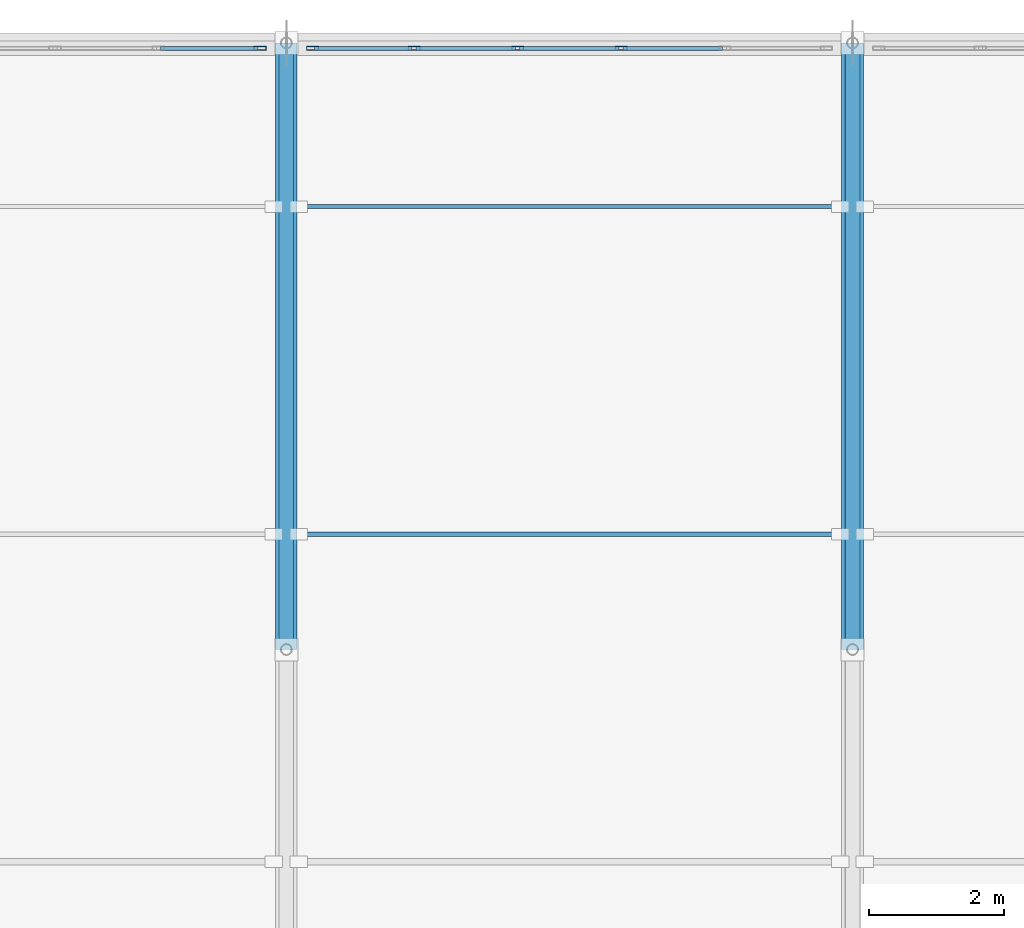
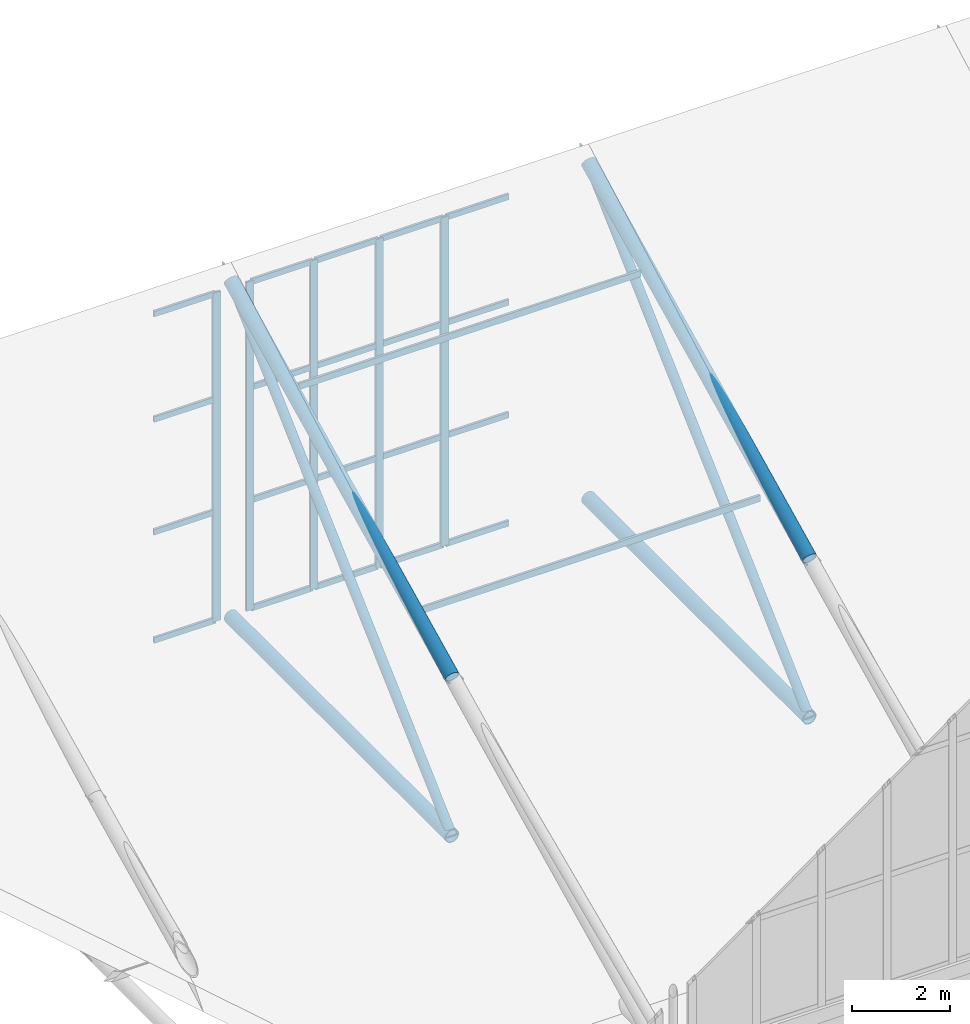
# One storey, part 24 of 38: 33 members, 2 elements without a shape of their own.
"""IFC4 building model written with IfcOpenShell, lengths in metres."""

from ifc_helpers import new_model, si_unit, direction, frame, origin, origin_2d, place, context, subcontext, project, spatial, hollow_rectangle, hollow_circle, extrude, material, material_profile, profile_set, type_object, element, aggregate, save


model = new_model("IFC4")

# Units and contexts
model_context = context("Model", 3, precision=1e-05, world=origin(), true_north=direction((0.0, 1.0)))
body_context = subcontext(model_context, "Body", "Model", "MODEL_VIEW")
ifc_project = project(units=[si_unit("LENGTHUNIT", "METRE"), si_unit("AREAUNIT", "SQUARE_METRE"), si_unit("VOLUMEUNIT", "CUBIC_METRE"), si_unit("PLANEANGLEUNIT", "RADIAN"), si_unit("MASSUNIT", "GRAM", prefix="KILO")], contexts=[model_context])

# Site, building, storey
site_placement = place(None, origin())
site = spatial("IfcSite", under=ifc_project, at=site_placement, CompositionType="ELEMENT")
building_placement = place(site_placement, origin())
building = spatial("IfcBuilding", under=site, at=building_placement, Name="Veltarok Museum of Natural Sciences", CompositionType="ELEMENT")
storey_placement = place(building_placement, frame((0.0, 0.0, 31.199951171875)))
storey = spatial("IfcBuildingStorey", under=building, at=storey_placement, Name="RF", CompositionType="ELEMENT", Elevation=31.199951171875)

# Curtain wall, member
ifc_material_1 = material(Name="Low-iron triple insulated glass", Category="glass")
curtain_wall_type = type_object("IfcCurtainWallType", Name="Curtain Wall System CW-SAW-M2-768x817 (Sawtooth North Clerestory M2 768x817cm)", PredefinedType="NOTDEFINED", material=ifc_material_1)
curtain_wall_1_placement = place(storey_placement, origin())
curtain_wall_1 = element("IfcCurtainWall", 1, at=curtain_wall_1_placement, inside=storey, type_object=curtain_wall_type, Name="Curtain Wall CW-SAW-M2-768x817 CW-SAW-0077", PredefinedType="NOTDEFINED")
ifc_material_2 = material(Name="Thermally broken anodised aluminium", Category="aluminium")
ifc_material_profile_1 = material_profile(ifc_material_2, hollow_rectangle(XDim=0.06005859375, YDim=0.179931640625, WallThickness=0.006103515625, at=origin_2d()), Name="CW MULLION 60x180x6")
ifc_profile_set_1 = profile_set([ifc_material_profile_1], Name="Thermally broken anodised aluminium")
member_type_1 = type_object("IfcMemberType", Name="Sawtooth Clerestory Mullion 60x180x6", PredefinedType="MULLION", material=ifc_profile_set_1)
member_1_placement = place(storey_placement, frame((64.81005859375, 71.919921875, -5.719970703125), z_axis=(0.0, 0.0, 1.0), x_axis=(0.0, -1.0, 0.0)))
member_1 = element("IfcMember", 2, at=member_1_placement, type_object=member_type_1, Name="CW-SAW-M2-768x817 mullion 1", PredefinedType="MULLION", context=body_context, shape_type="SweptSolid", body=[
    extrude(hollow_rectangle(XDim=0.06005859375, YDim=0.179931640625, WallThickness=0.006103515625, at=origin_2d()), origin(), (0.0, 0.0, 1.0), 8.169921875),
])

# Curtain wall, members
curtain_wall_2_placement = place(storey_placement, origin())
curtain_wall_2 = element("IfcCurtainWall", 3, at=curtain_wall_2_placement, inside=storey, type_object=curtain_wall_type, Name="Curtain Wall CW-SAW-M2-768x817 CW-SAW-0079", PredefinedType="NOTDEFINED")
member_2_placement = place(storey_placement, frame((70.16796875, 71.919921875, -5.719970703125), z_axis=(0.0, 0.0, 1.0), x_axis=(0.0, -1.0, 0.0)))
member_2 = element("IfcMember", 4, at=member_2_placement, type_object=member_type_1, Name="CW-SAW-M2-768x817 mullion 3", PredefinedType="MULLION", context=body_context, shape_type="SweptSolid", body=[
    extrude(hollow_rectangle(XDim=0.06005859375, YDim=0.179931640625, WallThickness=0.006103515625, at=origin_2d()), origin(), (0.0, 0.0, 1.0), 8.169921875),
])
member_3_placement = place(storey_placement, frame((68.632080078125, 71.919921875, -5.719970703125), z_axis=(0.0, 0.0, 1.0), x_axis=(0.0, -1.0, 0.0)))
member_3 = element("IfcMember", 5, at=member_3_placement, type_object=member_type_1, Name="CW-SAW-M2-768x817 mullion 4", PredefinedType="MULLION", context=body_context, shape_type="SweptSolid", body=[
    extrude(hollow_rectangle(XDim=0.06005859375, YDim=0.179931640625, WallThickness=0.006103515625, at=origin_2d()), origin(), (0.0, 0.0, 1.0), 8.169921875),
])
member_4_placement = place(storey_placement, frame((67.095947265625, 71.919921875, -5.719970703125), z_axis=(0.0, 0.0, 1.0), x_axis=(0.0, -1.0, 0.0)))
member_4 = element("IfcMember", 6, at=member_4_placement, type_object=member_type_1, Name="CW-SAW-M2-768x817 mullion 5", PredefinedType="MULLION", context=body_context, shape_type="SweptSolid", body=[
    extrude(hollow_rectangle(XDim=0.06005859375, YDim=0.179931640625, WallThickness=0.006103515625, at=origin_2d()), origin(), (0.0, 0.0, 1.0), 8.169921875),
])
member_5_placement = place(storey_placement, frame((65.590087890625, 71.919921875, -5.719970703125), z_axis=(0.0, 0.0, 1.0), x_axis=(0.0, -1.0, 0.0)))
member_5 = element("IfcMember", 7, at=member_5_placement, type_object=member_type_1, Name="CW-SAW-M2-768x817 mullion 6", PredefinedType="MULLION", context=body_context, shape_type="SweptSolid", body=[
    extrude(hollow_rectangle(XDim=0.06005859375, YDim=0.179931640625, WallThickness=0.006103515625, at=origin_2d()), origin(), (0.0, 0.0, 1.0), 8.169921875),
])

# Member
ifc_material_profile_2 = material_profile(ifc_material_2, hollow_rectangle(XDim=0.06005859375, YDim=0.139892578125, WallThickness=0.0048828125, at=origin_2d()), Name="CW TRANSOM 60x140x5")
ifc_profile_set_2 = profile_set([ifc_material_profile_2], Name="Thermally broken anodised aluminium")
member_type_2 = type_object("IfcMemberType", Name="Sawtooth Clerestory Transom 60x140x5", PredefinedType="USERDEFINED", material=ifc_profile_set_2)
member_6_placement = place(storey_placement, frame((64.780029296875, 71.919921875, -5.68994140625), z_axis=(-1.0, 0.0, 0.0), x_axis=(0.0, -1.0, 0.0)))
member_6 = element("IfcMember", 8, at=member_6_placement, type_object=member_type_2, Name="CW-SAW-M2-768x817 transom 1.1", ObjectType="TRANSOM", PredefinedType="USERDEFINED", context=body_context, shape_type="SweptSolid", body=[
    extrude(hollow_rectangle(XDim=0.06005859375, YDim=0.139892578125, WallThickness=0.0048828125, at=origin_2d()), origin(), (0.0, 0.0, 1.0), 1.446044921875),
])

member_7_placement = place(storey_placement, frame((64.780029296875, 71.919921875, -3.0), z_axis=(-1.0, 0.0, 0.0), x_axis=(0.0, -1.0, 0.0)))
member_7 = element("IfcMember", 9, at=member_7_placement, type_object=member_type_2, Name="CW-SAW-M2-768x817 transom 1.2", ObjectType="TRANSOM", PredefinedType="USERDEFINED", context=body_context, shape_type="SweptSolid", body=[
    extrude(hollow_rectangle(XDim=0.06005859375, YDim=0.139892578125, WallThickness=0.0048828125, at=origin_2d()), origin(), (0.0, 0.0, 1.0), 1.446044921875),
])

member_8_placement = place(storey_placement, frame((64.780029296875, 71.919921875, -0.199951171875), z_axis=(-1.0, 0.0, 0.0), x_axis=(0.0, -1.0, 0.0)))
member_8 = element("IfcMember", 10, at=member_8_placement, type_object=member_type_2, Name="CW-SAW-M2-768x817 transom 1.3", ObjectType="TRANSOM", PredefinedType="USERDEFINED", context=body_context, shape_type="SweptSolid", body=[
    extrude(hollow_rectangle(XDim=0.06005859375, YDim=0.139892578125, WallThickness=0.0048828125, at=origin_2d()), origin(), (0.0, 0.0, 1.0), 1.446044921875),
])

member_9_placement = place(storey_placement, frame((64.780029296875, 71.919921875, 2.420166015625), z_axis=(-1.0, 0.0, 0.0), x_axis=(0.0, -1.0, 0.0)))
member_9 = element("IfcMember", 11, at=member_9_placement, type_object=member_type_2, Name="CW-SAW-M2-768x817 transom 1.4", ObjectType="TRANSOM", PredefinedType="USERDEFINED", context=body_context, shape_type="SweptSolid", body=[
    extrude(hollow_rectangle(XDim=0.06005859375, YDim=0.139892578125, WallThickness=0.0048828125, at=origin_2d()), origin(), (0.0, 0.0, 1.0), 1.446044921875),
])

aggregate(curtain_wall_1, [member_1, member_6, member_7, member_8, member_9])

member_10_placement = place(storey_placement, frame((71.674072265625, 71.919921875, -5.68994140625), z_axis=(-1.0, 0.0, 0.0), x_axis=(0.0, -1.0, 0.0)))
member_10 = element("IfcMember", 12, at=member_10_placement, type_object=member_type_2, Name="CW-SAW-M2-768x817 transom 2.1", ObjectType="TRANSOM", PredefinedType="USERDEFINED", context=body_context, shape_type="SweptSolid", body=[
    extrude(hollow_rectangle(XDim=0.06005859375, YDim=0.139892578125, WallThickness=0.0048828125, at=origin_2d()), origin(), (0.0, 0.0, 1.0), 1.47607421875),
])

member_11_placement = place(storey_placement, frame((71.674072265625, 71.919921875, -3.0), z_axis=(-1.0, 0.0, 0.0), x_axis=(0.0, -1.0, 0.0)))
member_11 = element("IfcMember", 13, at=member_11_placement, type_object=member_type_2, Name="CW-SAW-M2-768x817 transom 2.2", ObjectType="TRANSOM", PredefinedType="USERDEFINED", context=body_context, shape_type="SweptSolid", body=[
    extrude(hollow_rectangle(XDim=0.06005859375, YDim=0.139892578125, WallThickness=0.0048828125, at=origin_2d()), origin(), (0.0, 0.0, 1.0), 1.47607421875),
])

member_12_placement = place(storey_placement, frame((71.674072265625, 71.919921875, -0.199951171875), z_axis=(-1.0, 0.0, 0.0), x_axis=(0.0, -1.0, 0.0)))
member_12 = element("IfcMember", 14, at=member_12_placement, type_object=member_type_2, Name="CW-SAW-M2-768x817 transom 2.3", ObjectType="TRANSOM", PredefinedType="USERDEFINED", context=body_context, shape_type="SweptSolid", body=[
    extrude(hollow_rectangle(XDim=0.06005859375, YDim=0.139892578125, WallThickness=0.0048828125, at=origin_2d()), origin(), (0.0, 0.0, 1.0), 1.47607421875),
])

member_13_placement = place(storey_placement, frame((71.674072265625, 71.919921875, 2.420166015625), z_axis=(-1.0, 0.0, 0.0), x_axis=(0.0, -1.0, 0.0)))
member_13 = element("IfcMember", 15, at=member_13_placement, type_object=member_type_2, Name="CW-SAW-M2-768x817 transom 2.4", ObjectType="TRANSOM", PredefinedType="USERDEFINED", context=body_context, shape_type="SweptSolid", body=[
    extrude(hollow_rectangle(XDim=0.06005859375, YDim=0.139892578125, WallThickness=0.0048828125, at=origin_2d()), origin(), (0.0, 0.0, 1.0), 1.47607421875),
])

member_14_placement = place(storey_placement, frame((70.137939453125, 71.919921875, -5.68994140625), z_axis=(-1.0, 0.0, 0.0), x_axis=(0.0, -1.0, 0.0)))
member_14 = element("IfcMember", 16, at=member_14_placement, type_object=member_type_2, Name="CW-SAW-M2-768x817 transom 3.1", ObjectType="TRANSOM", PredefinedType="USERDEFINED", context=body_context, shape_type="SweptSolid", body=[
    extrude(hollow_rectangle(XDim=0.06005859375, YDim=0.139892578125, WallThickness=0.0048828125, at=origin_2d()), origin(), (0.0, 0.0, 1.0), 1.475830078125),
])

member_15_placement = place(storey_placement, frame((70.137939453125, 71.919921875, -3.0), z_axis=(-1.0, 0.0, 0.0), x_axis=(0.0, -1.0, 0.0)))
member_15 = element("IfcMember", 17, at=member_15_placement, type_object=member_type_2, Name="CW-SAW-M2-768x817 transom 3.2", ObjectType="TRANSOM", PredefinedType="USERDEFINED", context=body_context, shape_type="SweptSolid", body=[
    extrude(hollow_rectangle(XDim=0.06005859375, YDim=0.139892578125, WallThickness=0.0048828125, at=origin_2d()), origin(), (0.0, 0.0, 1.0), 1.475830078125),
])

member_16_placement = place(storey_placement, frame((70.137939453125, 71.919921875, -0.199951171875), z_axis=(-1.0, 0.0, 0.0), x_axis=(0.0, -1.0, 0.0)))
member_16 = element("IfcMember", 18, at=member_16_placement, type_object=member_type_2, Name="CW-SAW-M2-768x817 transom 3.3", ObjectType="TRANSOM", PredefinedType="USERDEFINED", context=body_context, shape_type="SweptSolid", body=[
    extrude(hollow_rectangle(XDim=0.06005859375, YDim=0.139892578125, WallThickness=0.0048828125, at=origin_2d()), origin(), (0.0, 0.0, 1.0), 1.475830078125),
])

member_17_placement = place(storey_placement, frame((70.137939453125, 71.919921875, 2.420166015625), z_axis=(-1.0, 0.0, 0.0), x_axis=(0.0, -1.0, 0.0)))
member_17 = element("IfcMember", 19, at=member_17_placement, type_object=member_type_2, Name="CW-SAW-M2-768x817 transom 3.4", ObjectType="TRANSOM", PredefinedType="USERDEFINED", context=body_context, shape_type="SweptSolid", body=[
    extrude(hollow_rectangle(XDim=0.06005859375, YDim=0.139892578125, WallThickness=0.0048828125, at=origin_2d()), origin(), (0.0, 0.0, 1.0), 1.475830078125),
])

member_18_placement = place(storey_placement, frame((68.60205078125, 71.919921875, -5.68994140625), z_axis=(-1.0, 0.0, 0.0), x_axis=(0.0, -1.0, 0.0)))
member_18 = element("IfcMember", 20, at=member_18_placement, type_object=member_type_2, Name="CW-SAW-M2-768x817 transom 4.1", ObjectType="TRANSOM", PredefinedType="USERDEFINED", context=body_context, shape_type="SweptSolid", body=[
    extrude(hollow_rectangle(XDim=0.06005859375, YDim=0.139892578125, WallThickness=0.0048828125, at=origin_2d()), origin(), (0.0, 0.0, 1.0), 1.47607421875),
])

member_19_placement = place(storey_placement, frame((68.60205078125, 71.919921875, -3.0), z_axis=(-1.0, 0.0, 0.0), x_axis=(0.0, -1.0, 0.0)))
member_19 = element("IfcMember", 21, at=member_19_placement, type_object=member_type_2, Name="CW-SAW-M2-768x817 transom 4.2", ObjectType="TRANSOM", PredefinedType="USERDEFINED", context=body_context, shape_type="SweptSolid", body=[
    extrude(hollow_rectangle(XDim=0.06005859375, YDim=0.139892578125, WallThickness=0.0048828125, at=origin_2d()), origin(), (0.0, 0.0, 1.0), 1.47607421875),
])

member_20_placement = place(storey_placement, frame((68.60205078125, 71.919921875, -0.199951171875), z_axis=(-1.0, 0.0, 0.0), x_axis=(0.0, -1.0, 0.0)))
member_20 = element("IfcMember", 22, at=member_20_placement, type_object=member_type_2, Name="CW-SAW-M2-768x817 transom 4.3", ObjectType="TRANSOM", PredefinedType="USERDEFINED", context=body_context, shape_type="SweptSolid", body=[
    extrude(hollow_rectangle(XDim=0.06005859375, YDim=0.139892578125, WallThickness=0.0048828125, at=origin_2d()), origin(), (0.0, 0.0, 1.0), 1.47607421875),
])

member_21_placement = place(storey_placement, frame((68.60205078125, 71.919921875, 2.420166015625), z_axis=(-1.0, 0.0, 0.0), x_axis=(0.0, -1.0, 0.0)))
member_21 = element("IfcMember", 23, at=member_21_placement, type_object=member_type_2, Name="CW-SAW-M2-768x817 transom 4.4", ObjectType="TRANSOM", PredefinedType="USERDEFINED", context=body_context, shape_type="SweptSolid", body=[
    extrude(hollow_rectangle(XDim=0.06005859375, YDim=0.139892578125, WallThickness=0.0048828125, at=origin_2d()), origin(), (0.0, 0.0, 1.0), 1.47607421875),
])

member_22_placement = place(storey_placement, frame((67.06591796875, 71.919921875, -5.68994140625), z_axis=(-1.0, 0.0, 0.0), x_axis=(0.0, -1.0, 0.0)))
member_22 = element("IfcMember", 24, at=member_22_placement, type_object=member_type_2, Name="CW-SAW-M2-768x817 transom 5.1", ObjectType="TRANSOM", PredefinedType="USERDEFINED", context=body_context, shape_type="SweptSolid", body=[
    extrude(hollow_rectangle(XDim=0.06005859375, YDim=0.139892578125, WallThickness=0.0048828125, at=origin_2d()), origin(), (0.0, 0.0, 1.0), 1.44580078125),
])

member_23_placement = place(storey_placement, frame((67.06591796875, 71.919921875, -3.0), z_axis=(-1.0, 0.0, 0.0), x_axis=(0.0, -1.0, 0.0)))
member_23 = element("IfcMember", 25, at=member_23_placement, type_object=member_type_2, Name="CW-SAW-M2-768x817 transom 5.2", ObjectType="TRANSOM", PredefinedType="USERDEFINED", context=body_context, shape_type="SweptSolid", body=[
    extrude(hollow_rectangle(XDim=0.06005859375, YDim=0.139892578125, WallThickness=0.0048828125, at=origin_2d()), origin(), (0.0, 0.0, 1.0), 1.44580078125),
])

member_24_placement = place(storey_placement, frame((67.06591796875, 71.919921875, -0.199951171875), z_axis=(-1.0, 0.0, 0.0), x_axis=(0.0, -1.0, 0.0)))
member_24 = element("IfcMember", 26, at=member_24_placement, type_object=member_type_2, Name="CW-SAW-M2-768x817 transom 5.3", ObjectType="TRANSOM", PredefinedType="USERDEFINED", context=body_context, shape_type="SweptSolid", body=[
    extrude(hollow_rectangle(XDim=0.06005859375, YDim=0.139892578125, WallThickness=0.0048828125, at=origin_2d()), origin(), (0.0, 0.0, 1.0), 1.44580078125),
])

member_25_placement = place(storey_placement, frame((67.06591796875, 71.919921875, 2.420166015625), z_axis=(-1.0, 0.0, 0.0), x_axis=(0.0, -1.0, 0.0)))
member_25 = element("IfcMember", 27, at=member_25_placement, type_object=member_type_2, Name="CW-SAW-M2-768x817 transom 5.4", ObjectType="TRANSOM", PredefinedType="USERDEFINED", context=body_context, shape_type="SweptSolid", body=[
    extrude(hollow_rectangle(XDim=0.06005859375, YDim=0.139892578125, WallThickness=0.0048828125, at=origin_2d()), origin(), (0.0, 0.0, 1.0), 1.44580078125),
])

aggregate(curtain_wall_2, [member_2, member_3, member_4, member_5, member_10, member_11, member_12, member_13, member_14, member_15, member_16, member_17, member_18, member_19, member_20, member_21, member_22, member_23, member_24, member_25])

# Members
ifc_material_3 = material(Name="Steel S355J2", Category="steel")
ifc_material_profile_3 = material_profile(ifc_material_3, hollow_rectangle(XDim=0.06005859375, YDim=0.159912109375, WallThickness=0.0048828125, at=origin_2d()), Name="RHS 160x60x5")
ifc_profile_set_3 = profile_set([ifc_material_profile_3], Name="Steel S355J2")
member_type_3 = type_object("IfcMemberType", Name="Sawtooth Roof Purlin RHS 160x60x5", PredefinedType="PURLIN", material=ifc_profile_set_3)
for number, where, z_axis, x_axis, name in (
    (28, (65.3798828125, 64.7099609375, -1.310302734375), (1.0, 0.0, 0.0), (0.0, 1.0, 0.0), "Sawtooth Purlin 8-9 M2"),
    (29, (65.3798828125, 69.570068359375, 1.32958984375), (1.0, 0.0, 0.0), (0.0, 1.0, 0.0), "Sawtooth Purlin 8-9 M2"),
):
    element("IfcMember", number, at=place(storey_placement, frame(where, z_axis=z_axis, x_axis=x_axis)), inside=storey, type_object=member_type_3, Name=name, PredefinedType="PURLIN", context=body_context, shape_type="SweptSolid", body=[
        extrude(hollow_rectangle(XDim=0.06005859375, YDim=0.159912109375, WallThickness=0.0048828125, at=origin_2d()), origin(), (0.0, 0.0, 1.0), 8.0400390625),
    ])
ifc_material_4 = material(Name="Oxide-red painted Steel S355J2", Category="steel")
ifc_material_profile_4 = material_profile(ifc_material_4, hollow_circle(Radius=0.161865234375, WallThickness=0.01611328125, at=origin_2d()), Name="CHS 323.9x16")
ifc_profile_set_4 = profile_set([ifc_material_profile_4], Name="Oxide-red painted Steel S355J2")
member_type_4 = type_object("IfcMemberType", Name="Sawtooth Truss Chord CHS 323.9x16", PredefinedType="CHORD", material=ifc_profile_set_4)
member_26_placement = place(storey_placement, frame((65.199951171875, 63.0, -5.800048828125), z_axis=(0.0, 1.0, 0.0), x_axis=(-1.0, 0.0, 0.0)))
element("IfcMember", 30, at=member_26_placement, inside=storey, type_object=member_type_4, Name="Roof Truss Bottom Chord 8 M2", PredefinedType="CHORD", context=body_context, shape_type="SweptSolid", body=[
    extrude(hollow_circle(Radius=0.161865234375, WallThickness=0.01611328125, at=origin_2d()), origin(), (0.0, 0.0, 1.0), 9.0),
])
member_27_placement = place(storey_placement, frame((65.199951171875, 63.0, -1.849853515625), z_axis=(0.0, 0.898388207299, 0.439202264322), x_axis=(-1.0, 0.0, 0.0)))
element("IfcMember", 31, at=member_27_placement, inside=storey, type_object=member_type_4, Name="Roof Truss Top Chord 8 M2", PredefinedType="CHORD", context=body_context, shape_type="SweptSolid", body=[
    extrude(hollow_circle(Radius=0.161865234375, WallThickness=0.01611328125, at=origin_2d()), origin(), (0.0, 0.0, 1.0), 10.017822265625),
])
member_28_placement = place(storey_placement, frame((73.60009765625, 63.0, -5.800048828125), z_axis=(0.0, 1.0, 0.0), x_axis=(-1.0, 0.0, 0.0)))
element("IfcMember", 32, at=member_28_placement, inside=storey, type_object=member_type_4, Name="Roof Truss Bottom Chord 9 M2", PredefinedType="CHORD", context=body_context, shape_type="SweptSolid", body=[
    extrude(hollow_circle(Radius=0.161865234375, WallThickness=0.01611328125, at=origin_2d()), origin(), (0.0, 0.0, 1.0), 9.0),
])
member_29_placement = place(storey_placement, frame((73.60009765625, 63.0, -1.849853515625), z_axis=(0.0, 0.898388207299, 0.439202264322), x_axis=(-1.0, 0.0, 0.0)))
element("IfcMember", 33, at=member_29_placement, inside=storey, type_object=member_type_4, Name="Roof Truss Top Chord 9 M2", PredefinedType="CHORD", context=body_context, shape_type="SweptSolid", body=[
    extrude(hollow_circle(Radius=0.161865234375, WallThickness=0.01611328125, at=origin_2d()), origin(), (0.0, 0.0, 1.0), 10.017822265625),
])
ifc_material_profile_5 = material_profile(ifc_material_4, hollow_circle(Radius=0.109619140625, WallThickness=0.010009765625, at=origin_2d()), Name="CHS 219.1x10")
ifc_profile_set_5 = profile_set([ifc_material_profile_5], Name="Oxide-red painted Steel S355J2")
member_type_5 = type_object("IfcMemberType", Name="Sawtooth Truss Web Diagonal CHS 219.1x10", PredefinedType="BRACE", material=ifc_profile_set_5)
for number, where, z_axis, x_axis, name in (
    (34, (65.199951171875, 63.0, -5.800048828125), (0.0, 0.733079568112, 0.680142887059), (-1.0, 0.0, 0.0), "Roof Truss Diagonal 8 M2"),
    (35, (73.60009765625, 63.0, -5.800048828125), (0.0, 0.733079568112, 0.680142887059), (-1.0, 0.0, 0.0), "Roof Truss Diagonal 9 M2"),
):
    element("IfcMember", number, at=place(storey_placement, frame(where, z_axis=z_axis, x_axis=x_axis)), inside=storey, type_object=member_type_5, Name=name, PredefinedType="BRACE", context=body_context, shape_type="SweptSolid", body=[
        extrude(hollow_circle(Radius=0.109619140625, WallThickness=0.010009765625, at=origin_2d()), origin(), (0.0, 0.0, 1.0), 12.27685546875),
    ])

save(model, "model.ifc")
